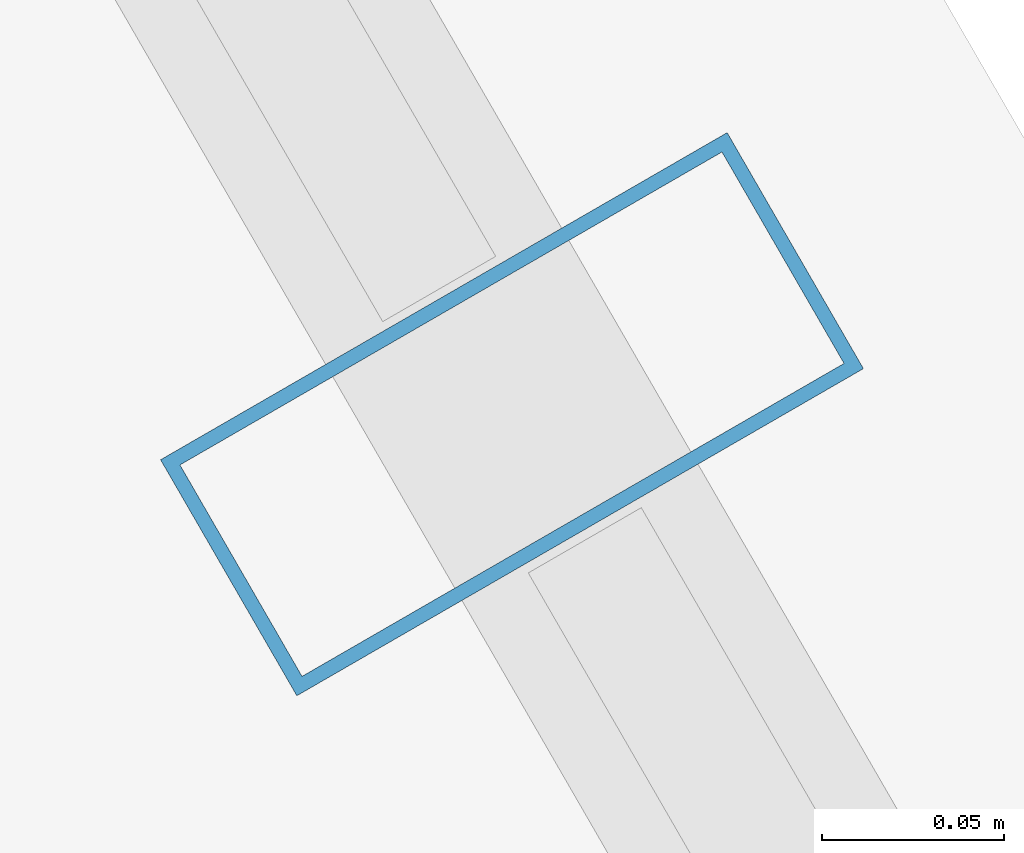
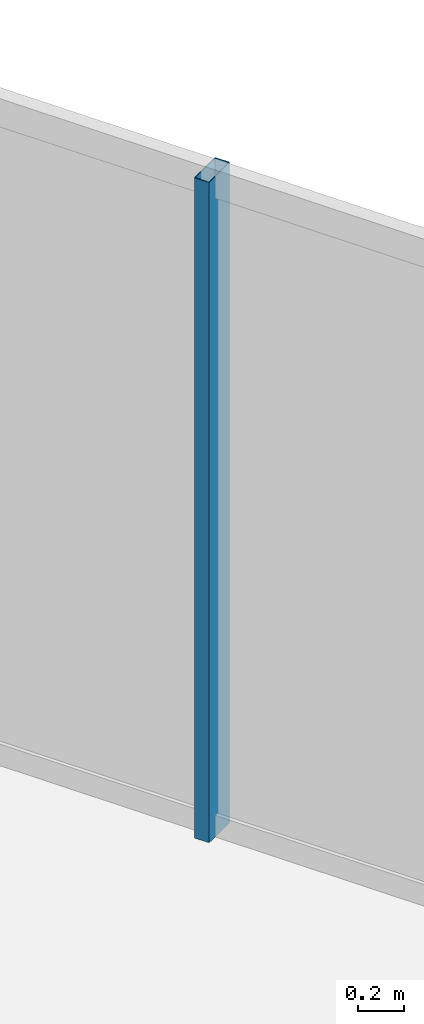
# One storey, part 21 of 35: 1 member, 1 element without a shape of its own.
"""IFC4 building model written with IfcOpenShell, lengths in metres."""

from ifc_helpers import new_model, si_unit, direction, frame, origin, origin_2d, place, context, subcontext, project, spatial, hollow_rectangle, extrude, material, layer, layer_set, material_profile, profile_set, type_object, element, aggregate, save


model = new_model("IFC4")

# Units and contexts
model_context = context("Model", 3, precision=1e-05, world=origin(), true_north=direction((0.0, 1.0)))
body_context = subcontext(model_context, "Body", "Model", "MODEL_VIEW")
ifc_project = project(units=[si_unit("LENGTHUNIT", "METRE"), si_unit("AREAUNIT", "SQUARE_METRE"), si_unit("VOLUMEUNIT", "CUBIC_METRE"), si_unit("PLANEANGLEUNIT", "RADIAN"), si_unit("MASSUNIT", "GRAM", prefix="KILO")], contexts=[model_context])

# Site, building, storey
site_placement = place(None, origin())
site = spatial("IfcSite", under=ifc_project, at=site_placement, CompositionType="ELEMENT")
building_placement = place(site_placement, origin())
building = spatial("IfcBuilding", under=site, at=building_placement, Name="Ndaravel Arena Tower", CompositionType="ELEMENT")
storey_placement = place(building_placement, frame((0.0, 0.0, 275.0)))
storey = spatial("IfcBuildingStorey", under=building, at=storey_placement, Name="L67", CompositionType="ELEMENT", Elevation=275.0)

# Curtain wall, member
ifc_material_1 = material(Name="Aluminium", Category="aluminium")
ifc_layer = layer(ifc_material_1, 0.179931640625)
ifc_layer_set = layer_set([ifc_layer], Name="Aluminium")
curtain_wall_type = type_object("IfcCurtainWallType", Name="CW-SYS-03", PredefinedType="NOTDEFINED", material=ifc_layer_set)
curtain_wall_placement = place(storey_placement, origin())
curtain_wall = element("IfcCurtainWall", 1, at=curtain_wall_placement, inside=storey, type_object=curtain_wall_type, Name="L67 Faceted Crystal Curtain Wall CW-L67-E03", PredefinedType="NOTDEFINED")
ifc_material_2 = material(Name="Aluminium", Category="aluminium")
ifc_material_profile = material_profile(ifc_material_2, hollow_rectangle(XDim=0.074951171875, YDim=0.179931640625, WallThickness=0.00390625, at=origin_2d()), Name="CW MULLION 75x180x4")
ifc_profile_set = profile_set([ifc_material_profile], Name="Aluminium")
member_type = type_object("IfcMemberType", Name="MEM-CW-MUL180", PredefinedType="MULLION", material=ifc_profile_set)
member_placement = place(storey_placement, frame((48.980224609375, 36.455810546875, 0.0), z_axis=(0.0, 0.0, 1.0), x_axis=(-0.5, 0.866025403784, 0.0)))
member = element("IfcMember", 2, at=member_placement, type_object=member_type, Name="CW-L67-E03 Mullion 07", PredefinedType="MULLION", context=body_context, shape_type="SweptSolid", body=[
    extrude(hollow_rectangle(XDim=0.074951171875, YDim=0.179931640625, WallThickness=0.00390625, at=origin_2d()), origin(), (0.0, 0.0, 1.0), 3.52001953125),
])
aggregate(curtain_wall, [member])

save(model, "model.ifc")
